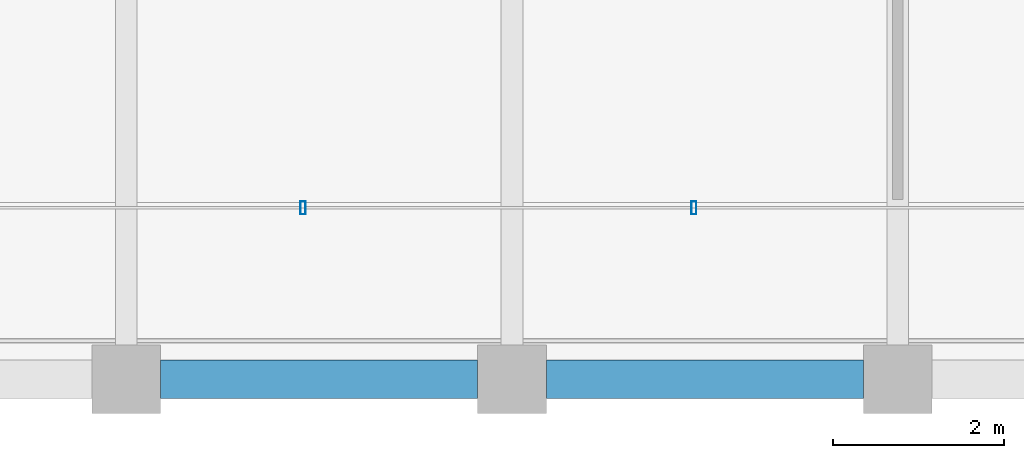
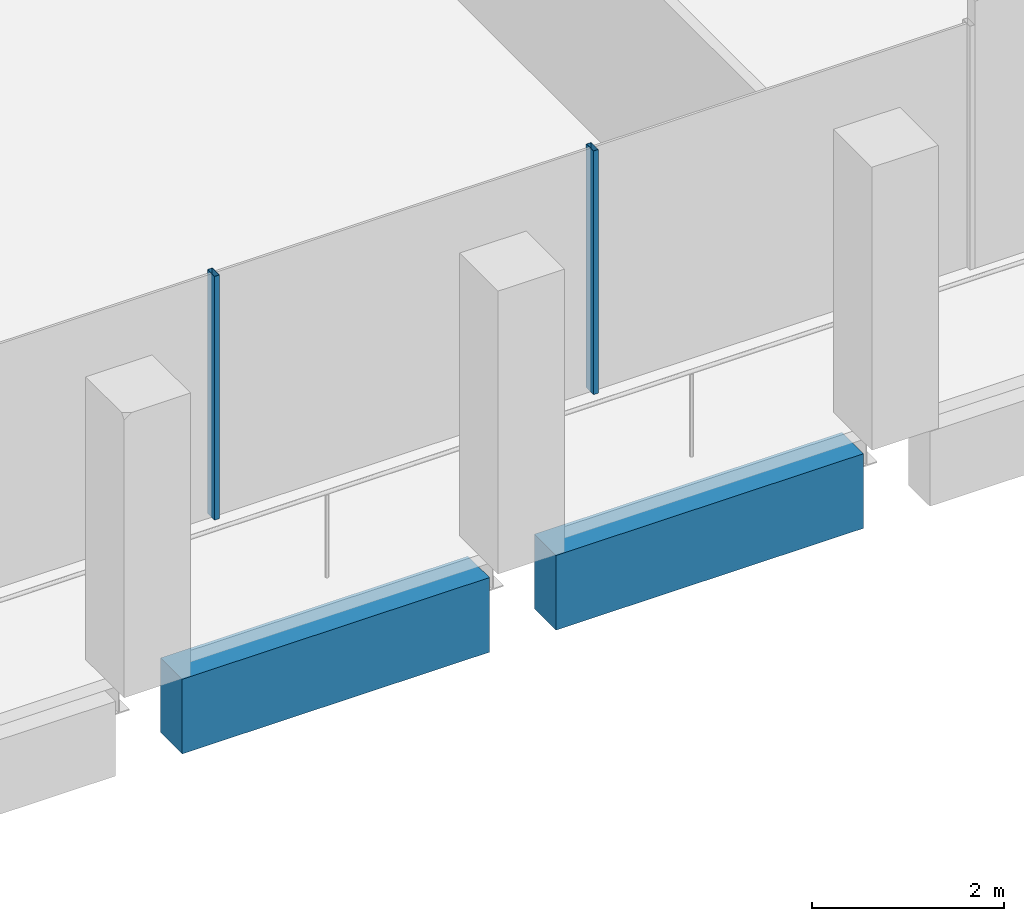
# One storey, part 3 of 30: 2 beams, 2 members, 1 element without a shape of its own.
"""IFC4 building model written with IfcOpenShell, lengths in metres."""

import ifcopenshell
import ifcopenshell.guid

model = None  # the IFC model being written
_history = None  # IfcOwnerHistory: only IFC2X3 demands one
_inside = {}  # id of a spatial element -> (the spatial element, [elements in it])
_under = {}  # id of a project, library or spatial element -> (it, [spatial elements below it])
_declared = {}  # id of a project -> (the project, [libraries it declares])
_typed = {}  # id of a type object -> (the type object, [elements of that type])
_made_of = {}  # id of a material, layer set ... -> (it, [elements and type objects made of it])


def new_model(schema):
    """Start an empty IFC model of exactly this schema.

    Asked for "IFC4X3", IfcOpenShell would pick the latest addendum, in which some entities
    have other attributes; the version numbers below select the first issue.
    IFC2X3 requires an IfcOwnerHistory on every rooted entity: one is made here for all.
    """
    global model, _history
    if schema == "IFC4X3":
        model = ifcopenshell.file(schema_version=(4, 3, 0, 0))
    else:
        model = ifcopenshell.file(schema=schema)
    _inside.clear()
    _under.clear()
    _declared.clear()
    _typed.clear()
    _made_of.clear()
    _history = None
    if model.schema == "IFC2X3":
        org = make("IfcOrganization", Name="unknown")
        user = make(
            "IfcPersonAndOrganization",
            ThePerson=make("IfcPerson", FamilyName="unknown"),
            TheOrganization=org,
        )
        app = make(
            "IfcApplication",
            ApplicationDeveloper=org,
            Version="unknown",
            ApplicationFullName="unknown",
            ApplicationIdentifier="unknown",
        )
        _history = make(
            "IfcOwnerHistory",
            OwningUser=user,
            OwningApplication=app,
            ChangeAction="ADDED",
            CreationDate=0,
        )
    return model


def make(cls, **values):
    """One entity of the class cls with the attributes given. An attribute that is None is left unset."""
    return model.create_entity(
        cls, **{name: value for name, value in values.items() if value is not None}
    )


def rooted(cls, **values):
    """An entity with a GlobalId (a new one), such as an element, a storey or a relation."""
    return make(cls, GlobalId=ifcopenshell.guid.new(), OwnerHistory=_history, **values)


def si_unit(unit_type, name, prefix=None):
    """IfcSIUnit, for example si_unit("LENGTHUNIT", "METRE", prefix="MILLI")."""
    return make("IfcSIUnit", UnitType=unit_type, Prefix=prefix, Name=name)


def assignment(units):
    """IfcUnitAssignment: the units of a project."""
    return None if units is None else make("IfcUnitAssignment", Units=units)


def point(xyz):
    """IfcCartesianPoint."""
    return None if xyz is None else make("IfcCartesianPoint", Coordinates=xyz)


def direction(xyz):
    """IfcDirection."""
    return None if xyz is None else make("IfcDirection", DirectionRatios=xyz)


def frame(location, z_axis=None, x_axis=None):
    """IfcAxis2Placement3D, a coordinate frame: its origin and axes. An axis left out is left unset."""
    return make(
        "IfcAxis2Placement3D",
        Location=point(location),
        Axis=direction(z_axis),
        RefDirection=direction(x_axis),
    )


def frame_2d(location, x_axis=None):
    """IfcAxis2Placement2D, a coordinate frame in the plane: its origin and x axis."""
    return make(
        "IfcAxis2Placement2D", Location=point(location), RefDirection=direction(x_axis)
    )


def origin():
    """The frame at (0, 0, 0) with its axes left unset."""
    return frame((0.0, 0.0, 0.0))


def origin_2d():
    """The frame at (0, 0) in the plane with its x axis left unset."""
    return frame_2d((0.0, 0.0))


def place(relative_to, where):
    """IfcLocalPlacement: puts the frame where relative to a parent placement (None: the world)."""
    return make(
        "IfcLocalPlacement", PlacementRelTo=relative_to, RelativePlacement=where
    )


def context(
    kind, dimensions, precision=None, world=None, true_north=None, identifier=None
):
    """IfcGeometricRepresentationContext, for example the 3D "Model" context."""
    return make(
        "IfcGeometricRepresentationContext",
        ContextIdentifier=identifier,
        ContextType=kind,
        CoordinateSpaceDimension=dimensions,
        Precision=precision,
        WorldCoordinateSystem=world,
        TrueNorth=true_north,
    )


def subcontext(parent, identifier, kind, view, scale=None):
    """IfcGeometricRepresentationSubContext, for example "Body" below "Model"."""
    return make(
        "IfcGeometricRepresentationSubContext",
        ContextIdentifier=identifier,
        ContextType=kind,
        ParentContext=parent,
        TargetScale=scale,
        TargetView=view,
    )


def project(units=None, contexts=None):
    """IfcProject with its units and contexts."""
    return rooted(
        "IfcProject",
        Name="project",
        RepresentationContexts=contexts,
        UnitsInContext=assignment(units),
    )


def spatial(cls, under=None, at=None, **own):
    """A site, building, storey or space (cls), placed at a placement, below another one or the project."""
    s = rooted(cls, ObjectPlacement=at, **own)
    if under is not None:
        _under.setdefault(under.id(), (under, []))[1].append(s)
    return s


def profile(cls, at=None, kind="AREA", **sizes):
    """A parametric profile (cls). Its sizes go by their IFC names, for example OverallWidth=200.0."""
    return make(cls, ProfileType=kind, Position=at, **sizes)


def rectangle(**sizes):
    """IfcRectangleProfileDef."""
    return profile("IfcRectangleProfileDef", **sizes)


def hollow_rectangle(**sizes):
    """IfcRectangleHollowProfileDef."""
    return profile("IfcRectangleHollowProfileDef", **sizes)


def extrude(swept, where, along, depth):
    """IfcExtrudedAreaSolid: the profile swept, set in the frame where, extruded along a direction by depth."""
    return make(
        "IfcExtrudedAreaSolid",
        SweptArea=swept,
        Position=where,
        ExtrudedDirection=direction(along),
        Depth=depth,
    )


def shape(context_of_items, identifier, shape_type, items):
    """IfcShapeRepresentation: the items that make up one representation, for example the "Body"."""
    return make(
        "IfcShapeRepresentation",
        ContextOfItems=context_of_items,
        RepresentationIdentifier=identifier,
        RepresentationType=shape_type,
        Items=items,
    )


def material(Name=None, Category=None):
    """IfcMaterial."""
    return make("IfcMaterial", Name=Name, Category=Category)


def material_profile(
    of_material, cross_section, Name=None, Category=None, Priority=None
):
    """IfcMaterialProfile: a cross section and its material."""
    return make(
        "IfcMaterialProfile",
        Name=Name,
        Material=of_material,
        Profile=cross_section,
        Priority=Priority,
        Category=Category,
    )


def profile_set(profiles, Name=None, composite=None):
    """IfcMaterialProfileSet."""
    return make(
        "IfcMaterialProfileSet",
        Name=Name,
        MaterialProfiles=profiles,
        CompositeProfile=composite,
    )


def made_of(thing, what):
    """Note that an element or type object is made of a material, layer set ...; save() writes the relation."""
    if what is not None:
        _made_of.setdefault(what.id(), (what, []))[1].append(thing)
    return thing


def type_object(cls, material=None, **own):
    """A type object (cls), such as IfcWallType, which elements share."""
    return made_of(rooted(cls, **own), material)


def element(
    cls,
    number,
    at=None,
    inside=None,
    cuts=None,
    type_object=None,
    material=None,
    context=None,
    identifier="Body",
    shape_type=None,
    held_by="IfcProductDefinitionShape",
    body=None,
    shapes=None,
    **own,
):
    """One element of the class cls, such as IfcWall. Its Tag is "e" and its number.

    at: its placement. inside: the storey or other place that contains it. cuts: it is an
    opening in that element (IfcRelVoidsElement). A single representation is given by context,
    identifier, shape_type and body (its items); several are given by shapes. held_by: the class
    of the entity that holds the representations. save() writes the other relations.
    """
    e = rooted(cls, Tag="e%d" % number, ObjectPlacement=at, **own)
    if body is not None:
        shapes = [shape(context, identifier, shape_type, body)]
    if shapes is not None:
        e.Representation = make(held_by, Representations=shapes)
    if inside is not None:
        _inside.setdefault(inside.id(), (inside, []))[1].append(e)
    if cuts is not None:
        rooted(
            "IfcRelVoidsElement", RelatingBuildingElement=cuts, RelatedOpeningElement=e
        )
    if type_object is not None:
        _typed.setdefault(type_object.id(), (type_object, []))[1].append(e)
    return made_of(e, material)


def aggregate(whole, parts):
    """IfcRelAggregates: a whole, such as a stair, and the parts it consists of."""
    return rooted("IfcRelAggregates", RelatingObject=whole, RelatedObjects=parts)


def save(model, path):
    """Write the relations noted so far, then the file.

    IfcRelAggregates (storeys below a building ...), IfcRelContainedInSpatialStructure (elements
    in a storey), IfcRelDefinesByType, IfcRelAssociatesMaterial and IfcRelDeclares: one each for
    every whole, place, type object, material and project.
    """
    for whole, parts in _under.values():
        aggregate(whole, parts)
    for where, things in _inside.values():
        rooted(
            "IfcRelContainedInSpatialStructure",
            RelatedElements=things,
            RelatingStructure=where,
        )
    for kind, things in _typed.values():
        rooted("IfcRelDefinesByType", RelatedObjects=things, RelatingType=kind)
    for what, things in _made_of.values():
        rooted("IfcRelAssociatesMaterial", RelatedObjects=things, RelatingMaterial=what)
    for by, libraries in _declared.values():
        rooted("IfcRelDeclares", RelatingContext=by, RelatedDefinitions=libraries)
    model.write(path)


model = new_model("IFC4")

# Units and contexts
model_context = context("Model", 3, precision=1e-05, world=origin(), true_north=direction((0.0, 1.0)))
body_context = subcontext(model_context, "Body", "Model", "MODEL_VIEW")
ifc_project = project(units=[si_unit("LENGTHUNIT", "METRE"), si_unit("AREAUNIT", "SQUARE_METRE"), si_unit("VOLUMEUNIT", "CUBIC_METRE"), si_unit("PLANEANGLEUNIT", "RADIAN"), si_unit("MASSUNIT", "GRAM", prefix="KILO")], contexts=[model_context])

# Site, building, storey
site_placement = place(None, origin())
site = spatial("IfcSite", under=ifc_project, at=site_placement, CompositionType="ELEMENT")
building_placement = place(site_placement, origin())
building = spatial("IfcBuilding", under=site, at=building_placement, Name="Altepetl Exchange Towers", CompositionType="ELEMENT")
storey_placement = place(building_placement, frame((0.0, 0.0, 242.39990234375)))
storey = spatial("IfcBuildingStorey", under=building, at=storey_placement, Name="L62", CompositionType="ELEMENT", Elevation=242.39990234375)

# Curtain wall, members
ifc_material_1 = material(Name="Aluminium 6063-T6 glazing", Category="aluminium")
curtain_wall_type = type_object("IfcCurtainWallType", Name="Loggia glazing system", PredefinedType="NOTDEFINED", material=ifc_material_1)
curtain_wall_placement = place(storey_placement, origin())
curtain_wall = element("IfcCurtainWall", 1, at=curtain_wall_placement, inside=storey, type_object=curtain_wall_type, Name="CW1 run", PredefinedType="NOTDEFINED")
ifc_material_2 = material(Name="Aluminium 6063-T6", Category="aluminium")
ifc_material_profile_1 = material_profile(ifc_material_2, hollow_rectangle(XDim=0.06005859375, YDim=0.14990234375, WallThickness=0.0029296875, at=origin_2d()), Name="Mullion 60x150 aluminium")
ifc_profile_set_1 = profile_set([ifc_material_profile_1], Name="Aluminium 6063-T6")
member_type = type_object("IfcMemberType", Name="Mullion 60x150 aluminium", PredefinedType="MULLION", material=ifc_profile_set_1)
member_1_placement = place(storey_placement, frame((38.060791015625, 29.0, 0.0)))
member_1 = element("IfcMember", 2, at=member_1_placement, type_object=member_type, Name="MU1 mullion", PredefinedType="MULLION", context=body_context, shape_type="SweptSolid", body=[
    extrude(hollow_rectangle(XDim=0.06005859375, YDim=0.14990234375, WallThickness=0.0029296875, at=origin_2d()), origin(), (0.0, 0.0, 1.0), 3.10009765625),
])
member_2_placement = place(storey_placement, frame((42.621337890625, 29.0, 0.0)))
member_2 = element("IfcMember", 3, at=member_2_placement, type_object=member_type, Name="MU1 mullion", PredefinedType="MULLION", context=body_context, shape_type="SweptSolid", body=[
    extrude(hollow_rectangle(XDim=0.06005859375, YDim=0.14990234375, WallThickness=0.0029296875, at=origin_2d()), origin(), (0.0, 0.0, 1.0), 3.10009765625),
])
aggregate(curtain_wall, [member_1, member_2])

# Beams
ifc_material_3 = material(Name="Concrete C50/60 precast with cantera blanca facing", Category="concrete")
ifc_material_profile_2 = material_profile(ifc_material_3, rectangle(XDim=0.449951171875, YDim=0.949951171875, at=origin_2d()), Name="450 x 950")
ifc_profile_set_2 = profile_set([ifc_material_profile_2], Name="Concrete C50/60 precast with cantera blanca facing")
beam_type = type_object("IfcBeamType", Name="Spandrel beam 450x950 cantera blanca", PredefinedType="SPANDREL", material=ifc_profile_set_2)
for number, where, z_axis, x_axis, name in (
    (4, (36.39990234375, 27.0, -0.625), (1.0, 0.0, 0.0), (0.0, 1.0, 0.0), "sp:A:L62:001"),
    (5, (40.89990234375, 27.0, -0.625), (1.0, 0.0, 0.0), (0.0, 1.0, 0.0), "sp:A:L62:002"),
):
    element("IfcBeam", number, at=place(storey_placement, frame(where, z_axis=z_axis, x_axis=x_axis)), inside=storey, type_object=beam_type, Name=name, PredefinedType="SPANDREL", context=body_context, shape_type="SweptSolid", body=[
        extrude(rectangle(XDim=0.449951171875, YDim=0.949951171875, at=origin_2d()), origin(), (0.0, 0.0, 1.0), 3.7001953125),
    ])

save(model, "model.ifc")
